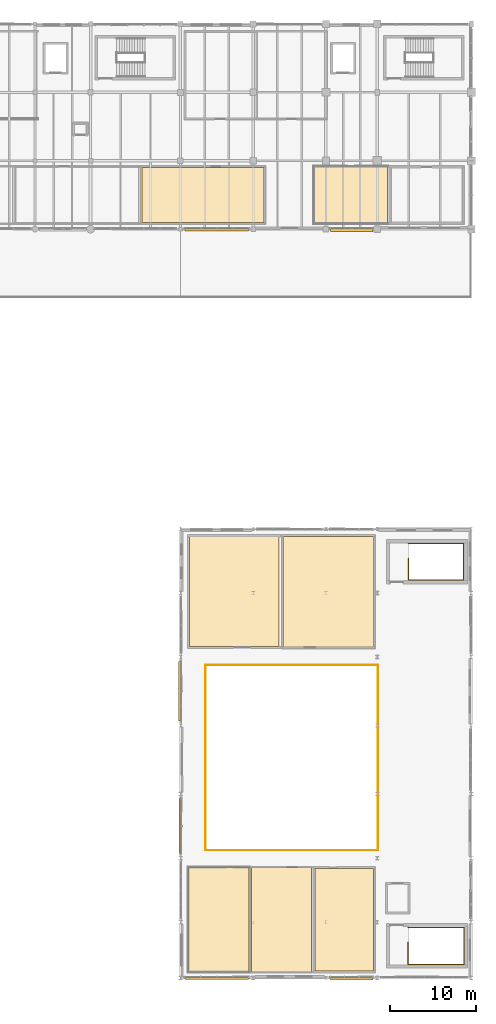
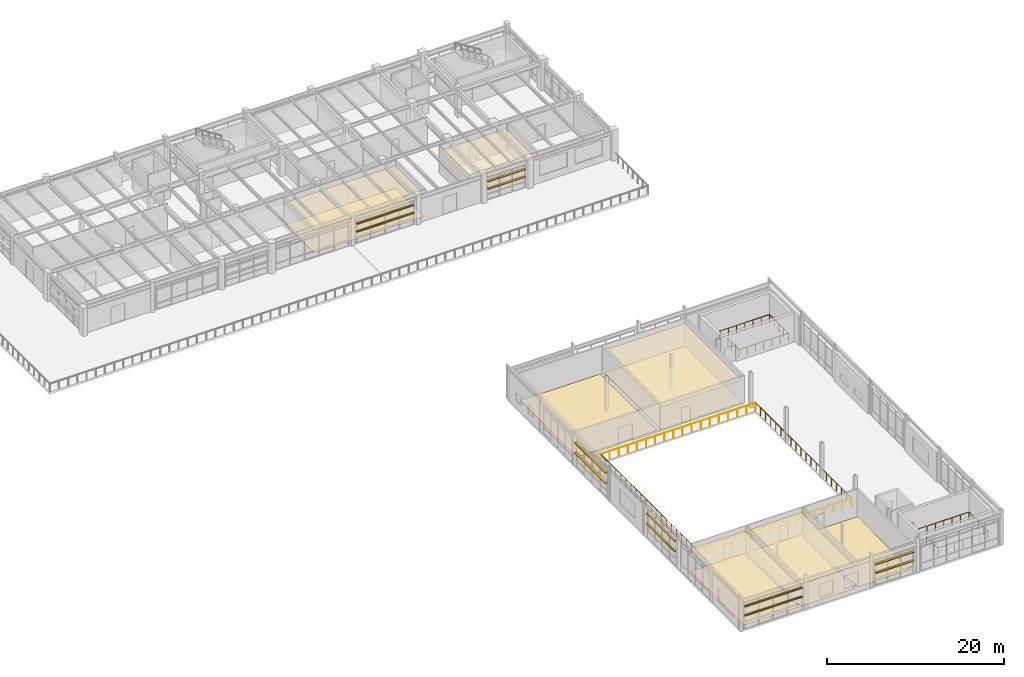
# One storey, part 55 of 56: 12 shading devices, 11 coverings, 6 railings.
"""IFC4 building model written with IfcOpenShell, lengths in metres."""

import ifcopenshell
import ifcopenshell.guid

model = None  # the IFC model being written
_history = None  # IfcOwnerHistory: only IFC2X3 demands one
_inside = {}  # id of a spatial element -> (the spatial element, [elements in it])
_under = {}  # id of a project, library or spatial element -> (it, [spatial elements below it])
_declared = {}  # id of a project -> (the project, [libraries it declares])
_typed = {}  # id of a type object -> (the type object, [elements of that type])
_made_of = {}  # id of a material, layer set ... -> (it, [elements and type objects made of it])


def new_model(schema):
    """Start an empty IFC model of exactly this schema.

    Asked for "IFC4X3", IfcOpenShell would pick the latest addendum, in which some entities
    have other attributes; the version numbers below select the first issue.
    IFC2X3 requires an IfcOwnerHistory on every rooted entity: one is made here for all.
    """
    global model, _history
    if schema == "IFC4X3":
        model = ifcopenshell.file(schema_version=(4, 3, 0, 0))
    else:
        model = ifcopenshell.file(schema=schema)
    _inside.clear()
    _under.clear()
    _declared.clear()
    _typed.clear()
    _made_of.clear()
    _history = None
    if model.schema == "IFC2X3":
        org = make("IfcOrganization", Name="unknown")
        user = make(
            "IfcPersonAndOrganization",
            ThePerson=make("IfcPerson", FamilyName="unknown"),
            TheOrganization=org,
        )
        app = make(
            "IfcApplication",
            ApplicationDeveloper=org,
            Version="unknown",
            ApplicationFullName="unknown",
            ApplicationIdentifier="unknown",
        )
        _history = make(
            "IfcOwnerHistory",
            OwningUser=user,
            OwningApplication=app,
            ChangeAction="ADDED",
            CreationDate=0,
        )
    return model


def make(cls, **values):
    """One entity of the class cls with the attributes given. An attribute that is None is left unset."""
    return model.create_entity(
        cls, **{name: value for name, value in values.items() if value is not None}
    )


def rooted(cls, **values):
    """An entity with a GlobalId (a new one), such as an element, a storey or a relation."""
    return make(cls, GlobalId=ifcopenshell.guid.new(), OwnerHistory=_history, **values)


def si_unit(unit_type, name, prefix=None):
    """IfcSIUnit, for example si_unit("LENGTHUNIT", "METRE", prefix="MILLI")."""
    return make("IfcSIUnit", UnitType=unit_type, Prefix=prefix, Name=name)


def assignment(units):
    """IfcUnitAssignment: the units of a project."""
    return None if units is None else make("IfcUnitAssignment", Units=units)


def point(xyz):
    """IfcCartesianPoint."""
    return None if xyz is None else make("IfcCartesianPoint", Coordinates=xyz)


def direction(xyz):
    """IfcDirection."""
    return None if xyz is None else make("IfcDirection", DirectionRatios=xyz)


def frame(location, z_axis=None, x_axis=None):
    """IfcAxis2Placement3D, a coordinate frame: its origin and axes. An axis left out is left unset."""
    return make(
        "IfcAxis2Placement3D",
        Location=point(location),
        Axis=direction(z_axis),
        RefDirection=direction(x_axis),
    )


def frame_2d(location, x_axis=None):
    """IfcAxis2Placement2D, a coordinate frame in the plane: its origin and x axis."""
    return make(
        "IfcAxis2Placement2D", Location=point(location), RefDirection=direction(x_axis)
    )


def origin():
    """The frame at (0, 0, 0) with its axes left unset."""
    return frame((0.0, 0.0, 0.0))


def origin_2d():
    """The frame at (0, 0) in the plane with its x axis left unset."""
    return frame_2d((0.0, 0.0))


def place(relative_to, where):
    """IfcLocalPlacement: puts the frame where relative to a parent placement (None: the world)."""
    return make(
        "IfcLocalPlacement", PlacementRelTo=relative_to, RelativePlacement=where
    )


def context(
    kind, dimensions, precision=None, world=None, true_north=None, identifier=None
):
    """IfcGeometricRepresentationContext, for example the 3D "Model" context."""
    return make(
        "IfcGeometricRepresentationContext",
        ContextIdentifier=identifier,
        ContextType=kind,
        CoordinateSpaceDimension=dimensions,
        Precision=precision,
        WorldCoordinateSystem=world,
        TrueNorth=true_north,
    )


def subcontext(parent, identifier, kind, view, scale=None):
    """IfcGeometricRepresentationSubContext, for example "Body" below "Model"."""
    return make(
        "IfcGeometricRepresentationSubContext",
        ContextIdentifier=identifier,
        ContextType=kind,
        ParentContext=parent,
        TargetScale=scale,
        TargetView=view,
    )


def project(units=None, contexts=None):
    """IfcProject with its units and contexts."""
    return rooted(
        "IfcProject",
        Name="project",
        RepresentationContexts=contexts,
        UnitsInContext=assignment(units),
    )


def spatial(cls, under=None, at=None, **own):
    """A site, building, storey or space (cls), placed at a placement, below another one or the project."""
    s = rooted(cls, ObjectPlacement=at, **own)
    if under is not None:
        _under.setdefault(under.id(), (under, []))[1].append(s)
    return s


def polyline(points):
    """IfcPolyline through the points."""
    return make("IfcPolyline", Points=[point(p) for p in points])


def profile(cls, at=None, kind="AREA", **sizes):
    """A parametric profile (cls). Its sizes go by their IFC names, for example OverallWidth=200.0."""
    return make(cls, ProfileType=kind, Position=at, **sizes)


def rectangle(**sizes):
    """IfcRectangleProfileDef."""
    return profile("IfcRectangleProfileDef", **sizes)


def circle(**sizes):
    """IfcCircleProfileDef."""
    return profile("IfcCircleProfileDef", **sizes)


def outline(outer, holes=None, kind="AREA"):
    """IfcArbitraryClosedProfileDef: a profile drawn as a closed curve; with holes, ...WithVoids."""
    if holes is None:
        return make("IfcArbitraryClosedProfileDef", ProfileType=kind, OuterCurve=outer)
    return make(
        "IfcArbitraryProfileDefWithVoids",
        ProfileType=kind,
        OuterCurve=outer,
        InnerCurves=holes,
    )


def extrude(swept, where, along, depth):
    """IfcExtrudedAreaSolid: the profile swept, set in the frame where, extruded along a direction by depth."""
    return make(
        "IfcExtrudedAreaSolid",
        SweptArea=swept,
        Position=where,
        ExtrudedDirection=direction(along),
        Depth=depth,
    )


def shape(context_of_items, identifier, shape_type, items):
    """IfcShapeRepresentation: the items that make up one representation, for example the "Body"."""
    return make(
        "IfcShapeRepresentation",
        ContextOfItems=context_of_items,
        RepresentationIdentifier=identifier,
        RepresentationType=shape_type,
        Items=items,
    )


def material(Name=None, Category=None):
    """IfcMaterial."""
    return make("IfcMaterial", Name=Name, Category=Category)


def layer(
    of_material, thickness, ventilated=None, Name=None, Category=None, Priority=None
):
    """IfcMaterialLayer: one layer of a wall or slab, of a material (None: an air gap)."""
    return make(
        "IfcMaterialLayer",
        Material=of_material,
        LayerThickness=thickness,
        IsVentilated=ventilated,
        Name=Name,
        Category=Category,
        Priority=Priority,
    )


def layer_set(layers, Name=None):
    """IfcMaterialLayerSet."""
    return make("IfcMaterialLayerSet", MaterialLayers=layers, LayerSetName=Name)


def made_of(thing, what):
    """Note that an element or type object is made of a material, layer set ...; save() writes the relation."""
    if what is not None:
        _made_of.setdefault(what.id(), (what, []))[1].append(thing)
    return thing


def type_object(cls, material=None, **own):
    """A type object (cls), such as IfcWallType, which elements share."""
    return made_of(rooted(cls, **own), material)


def element(
    cls,
    number,
    at=None,
    inside=None,
    cuts=None,
    type_object=None,
    material=None,
    context=None,
    identifier="Body",
    shape_type=None,
    held_by="IfcProductDefinitionShape",
    body=None,
    shapes=None,
    **own,
):
    """One element of the class cls, such as IfcWall. Its Tag is "e" and its number.

    at: its placement. inside: the storey or other place that contains it. cuts: it is an
    opening in that element (IfcRelVoidsElement). A single representation is given by context,
    identifier, shape_type and body (its items); several are given by shapes. held_by: the class
    of the entity that holds the representations. save() writes the other relations.
    """
    e = rooted(cls, Tag="e%d" % number, ObjectPlacement=at, **own)
    if body is not None:
        shapes = [shape(context, identifier, shape_type, body)]
    if shapes is not None:
        e.Representation = make(held_by, Representations=shapes)
    if inside is not None:
        _inside.setdefault(inside.id(), (inside, []))[1].append(e)
    if cuts is not None:
        rooted(
            "IfcRelVoidsElement", RelatingBuildingElement=cuts, RelatedOpeningElement=e
        )
    if type_object is not None:
        _typed.setdefault(type_object.id(), (type_object, []))[1].append(e)
    return made_of(e, material)


def aggregate(whole, parts):
    """IfcRelAggregates: a whole, such as a stair, and the parts it consists of."""
    return rooted("IfcRelAggregates", RelatingObject=whole, RelatedObjects=parts)


def save(model, path):
    """Write the relations noted so far, then the file.

    IfcRelAggregates (storeys below a building ...), IfcRelContainedInSpatialStructure (elements
    in a storey), IfcRelDefinesByType, IfcRelAssociatesMaterial and IfcRelDeclares: one each for
    every whole, place, type object, material and project.
    """
    for whole, parts in _under.values():
        aggregate(whole, parts)
    for where, things in _inside.values():
        rooted(
            "IfcRelContainedInSpatialStructure",
            RelatedElements=things,
            RelatingStructure=where,
        )
    for kind, things in _typed.values():
        rooted("IfcRelDefinesByType", RelatedObjects=things, RelatingType=kind)
    for what, things in _made_of.values():
        rooted("IfcRelAssociatesMaterial", RelatedObjects=things, RelatingMaterial=what)
    for by, libraries in _declared.values():
        rooted("IfcRelDeclares", RelatingContext=by, RelatedDefinitions=libraries)
    model.write(path)


model = new_model("IFC4")

# Units and contexts
model_context = context("Model", 3, precision=1e-05, world=origin(), true_north=direction((0.0, 1.0)))
body_context = subcontext(model_context, "Body", "Model", "MODEL_VIEW")
ifc_project = project(units=[si_unit("LENGTHUNIT", "METRE"), si_unit("AREAUNIT", "SQUARE_METRE"), si_unit("VOLUMEUNIT", "CUBIC_METRE"), si_unit("PLANEANGLEUNIT", "RADIAN"), si_unit("MASSUNIT", "GRAM", prefix="KILO"), si_unit("THERMODYNAMICTEMPERATUREUNIT", "KELVIN"), si_unit("POWERUNIT", "WATT")], contexts=[model_context])

# Site, building, storey
site_placement = place(None, origin())
site = spatial("IfcSite", under=ifc_project, at=site_placement, CompositionType="ELEMENT")
building_placement = place(site_placement, origin())
building = spatial("IfcBuilding", under=site, at=building_placement, Name="Tepalcoro Natatorium and Aquatics Centre", CompositionType="ELEMENT")
storey_placement = place(building_placement, frame((0.0, 0.0, 14.800048828125)))
storey = spatial("IfcBuildingStorey", under=building, at=storey_placement, Name="L03", CompositionType="ELEMENT", Elevation=14.800048828125)

# Railings
ifc_material_1 = material(Name="Marine-Grade Brushed Stainless Steel AISI 316L", Category="steel")
railing_type_1 = type_object("IfcRailingType", Name="BL_GLASS_1100", PredefinedType="BALUSTRADE", material=ifc_material_1)
railing_1_placement = place(storey_placement, frame((144.919921875, 21.419921875, 0.0)))
element("IfcRailing", 1, at=railing_1_placement, inside=storey, type_object=railing_type_1, Name="V2 L03 Diving Well Gallery Balustrade (S)", PredefinedType="BALUSTRADE", context=body_context, shape_type="SweptSolid", body=[
    extrude(circle(Radius=0.02392578125, at=origin_2d()), frame((0.0, 0.0, 1.09619140625), z_axis=(1.0, 0.0, 0.0), x_axis=(0.0, 1.0, 0.0)), (0.0, 0.0, 1.0), 20.16015625),
    extrude(circle(Radius=0.02099609375, at=origin_2d()), origin(), (0.0, 0.0, 1.0), 1.072021484375),
    extrude(circle(Radius=0.02099609375, at=origin_2d()), frame((1.185791015625, 0.0, 0.0)), (0.0, 0.0, 1.0), 1.072021484375),
    extrude(circle(Radius=0.02099609375, at=origin_2d()), frame((2.371826171875, 0.0, 0.0)), (0.0, 0.0, 1.0), 1.072021484375),
    extrude(circle(Radius=0.02099609375, at=origin_2d()), frame((3.5576171875, 0.0, 0.0)), (0.0, 0.0, 1.0), 1.072021484375),
    extrude(circle(Radius=0.02099609375, at=origin_2d()), frame((4.74365234375, 0.0, 0.0)), (0.0, 0.0, 1.0), 1.072021484375),
    extrude(circle(Radius=0.02099609375, at=origin_2d()), frame((5.929443359375, 0.0, 0.0)), (0.0, 0.0, 1.0), 1.072021484375),
    extrude(circle(Radius=0.02099609375, at=origin_2d()), frame((7.115234375, 0.0, 0.0)), (0.0, 0.0, 1.0), 1.072021484375),
    extrude(circle(Radius=0.02099609375, at=origin_2d()), frame((8.30126953125, 0.0, 0.0)), (0.0, 0.0, 1.0), 1.072021484375),
    extrude(circle(Radius=0.02099609375, at=origin_2d()), frame((9.487060546875, 0.0, 0.0)), (0.0, 0.0, 1.0), 1.072021484375),
    extrude(circle(Radius=0.02099609375, at=origin_2d()), frame((10.673095703125, 0.0, 0.0)), (0.0, 0.0, 1.0), 1.072021484375),
    extrude(circle(Radius=0.02099609375, at=origin_2d()), frame((11.85888671875, 0.0, 0.0)), (0.0, 0.0, 1.0), 1.072021484375),
    extrude(circle(Radius=0.02099609375, at=origin_2d()), frame((13.044921875, 0.0, 0.0)), (0.0, 0.0, 1.0), 1.072021484375),
    extrude(circle(Radius=0.02099609375, at=origin_2d()), frame((14.230712890625, 0.0, 0.0)), (0.0, 0.0, 1.0), 1.072021484375),
    extrude(circle(Radius=0.02099609375, at=origin_2d()), frame((15.41650390625, 0.0, 0.0)), (0.0, 0.0, 1.0), 1.072021484375),
    extrude(circle(Radius=0.02099609375, at=origin_2d()), frame((16.6025390625, 0.0, 0.0)), (0.0, 0.0, 1.0), 1.072021484375),
    extrude(circle(Radius=0.02099609375, at=origin_2d()), frame((17.788330078125, 0.0, 0.0)), (0.0, 0.0, 1.0), 1.072021484375),
    extrude(circle(Radius=0.02099609375, at=origin_2d()), frame((18.974365234375, 0.0, 0.0)), (0.0, 0.0, 1.0), 1.072021484375),
    extrude(circle(Radius=0.02099609375, at=origin_2d()), frame((20.16015625, 0.0, 0.0)), (0.0, 0.0, 1.0), 1.072021484375),
])
railing_2_placement = place(storey_placement, frame((165.080078125, 21.419921875, 0.0)))
element("IfcRailing", 2, at=railing_2_placement, inside=storey, type_object=railing_type_1, Name="V2 L03 Diving Well Gallery Balustrade (E)", PredefinedType="BALUSTRADE", context=body_context, shape_type="SweptSolid", body=[
    extrude(circle(Radius=0.02392578125, at=origin_2d()), frame((0.0, 0.0, 1.09619140625), z_axis=(0.0, 1.0, 0.0), x_axis=(-1.0, 0.0, 0.0)), (0.0, 0.0, 1.0), 21.66015625),
    extrude(circle(Radius=0.02099609375, at=origin_2d()), origin(), (0.0, 0.0, 1.0), 1.072021484375),
    extrude(circle(Radius=0.02099609375, at=origin_2d()), frame((0.0, 1.139892578125, 0.0)), (0.0, 0.0, 1.0), 1.072021484375),
    extrude(circle(Radius=0.02099609375, at=origin_2d()), frame((0.0, 2.280029296875, 0.0)), (0.0, 0.0, 1.0), 1.072021484375),
    extrude(circle(Radius=0.02099609375, at=origin_2d()), frame((0.0, 3.419921875, 0.0)), (0.0, 0.0, 1.0), 1.072021484375),
    extrude(circle(Radius=0.02099609375, at=origin_2d()), frame((0.0, 4.56005859375, 0.0)), (0.0, 0.0, 1.0), 1.072021484375),
    extrude(circle(Radius=0.02099609375, at=origin_2d()), frame((0.0, 5.699951171875, 0.0)), (0.0, 0.0, 1.0), 1.072021484375),
    extrude(circle(Radius=0.02099609375, at=origin_2d()), frame((0.0, 6.840087890625, 0.0)), (0.0, 0.0, 1.0), 1.072021484375),
    extrude(circle(Radius=0.02099609375, at=origin_2d()), frame((0.0, 7.97998046875, 0.0)), (0.0, 0.0, 1.0), 1.072021484375),
    extrude(circle(Radius=0.02099609375, at=origin_2d()), frame((0.0, 9.1201171875, 0.0)), (0.0, 0.0, 1.0), 1.072021484375),
    extrude(circle(Radius=0.02099609375, at=origin_2d()), frame((0.0, 10.260009765625, 0.0)), (0.0, 0.0, 1.0), 1.072021484375),
    extrude(circle(Radius=0.02099609375, at=origin_2d()), frame((0.0, 11.400146484375, 0.0)), (0.0, 0.0, 1.0), 1.072021484375),
    extrude(circle(Radius=0.02099609375, at=origin_2d()), frame((0.0, 12.5400390625, 0.0)), (0.0, 0.0, 1.0), 1.072021484375),
    extrude(circle(Radius=0.02099609375, at=origin_2d()), frame((0.0, 13.68017578125, 0.0)), (0.0, 0.0, 1.0), 1.072021484375),
    extrude(circle(Radius=0.02099609375, at=origin_2d()), frame((0.0, 14.820068359375, 0.0)), (0.0, 0.0, 1.0), 1.072021484375),
    extrude(circle(Radius=0.02099609375, at=origin_2d()), frame((0.0, 15.960205078125, 0.0)), (0.0, 0.0, 1.0), 1.072021484375),
    extrude(circle(Radius=0.02099609375, at=origin_2d()), frame((0.0, 17.10009765625, 0.0)), (0.0, 0.0, 1.0), 1.072021484375),
    extrude(circle(Radius=0.02099609375, at=origin_2d()), frame((0.0, 18.240234375, 0.0)), (0.0, 0.0, 1.0), 1.072021484375),
    extrude(circle(Radius=0.02099609375, at=origin_2d()), frame((0.0, 19.380126953125, 0.0)), (0.0, 0.0, 1.0), 1.072021484375),
    extrude(circle(Radius=0.02099609375, at=origin_2d()), frame((0.0, 20.520263671875, 0.0)), (0.0, 0.0, 1.0), 1.072021484375),
    extrude(circle(Radius=0.02099609375, at=origin_2d()), frame((0.0, 21.66015625, 0.0)), (0.0, 0.0, 1.0), 1.072021484375),
])
railing_3_placement = place(storey_placement, frame((165.080078125, 43.080078125, 0.0)))
element("IfcRailing", 3, at=railing_3_placement, inside=storey, type_object=railing_type_1, Name="V2 L03 Diving Well Gallery Balustrade (N)", PredefinedType="BALUSTRADE", context=body_context, shape_type="SweptSolid", body=[
    extrude(circle(Radius=0.02392578125, at=origin_2d()), frame((0.0, 0.0, 1.09619140625), z_axis=(-1.0, 0.0, 0.0), x_axis=(0.0, -1.0, 0.0)), (0.0, 0.0, 1.0), 20.16015625),
    extrude(circle(Radius=0.02099609375, at=origin_2d()), origin(), (0.0, 0.0, 1.0), 1.072021484375),
    extrude(circle(Radius=0.02099609375, at=origin_2d()), frame((-1.185791015625, 0.0, 0.0)), (0.0, 0.0, 1.0), 1.072021484375),
    extrude(circle(Radius=0.02099609375, at=origin_2d()), frame((-2.371826171875, 0.0, 0.0)), (0.0, 0.0, 1.0), 1.072021484375),
    extrude(circle(Radius=0.02099609375, at=origin_2d()), frame((-3.5576171875, 0.0, 0.0)), (0.0, 0.0, 1.0), 1.072021484375),
    extrude(circle(Radius=0.02099609375, at=origin_2d()), frame((-4.74365234375, 0.0, 0.0)), (0.0, 0.0, 1.0), 1.072021484375),
    extrude(circle(Radius=0.02099609375, at=origin_2d()), frame((-5.929443359375, 0.0, 0.0)), (0.0, 0.0, 1.0), 1.072021484375),
    extrude(circle(Radius=0.02099609375, at=origin_2d()), frame((-7.115234375, 0.0, 0.0)), (0.0, 0.0, 1.0), 1.072021484375),
    extrude(circle(Radius=0.02099609375, at=origin_2d()), frame((-8.30126953125, 0.0, 0.0)), (0.0, 0.0, 1.0), 1.072021484375),
    extrude(circle(Radius=0.02099609375, at=origin_2d()), frame((-9.487060546875, 0.0, 0.0)), (0.0, 0.0, 1.0), 1.072021484375),
    extrude(circle(Radius=0.02099609375, at=origin_2d()), frame((-10.673095703125, 0.0, 0.0)), (0.0, 0.0, 1.0), 1.072021484375),
    extrude(circle(Radius=0.02099609375, at=origin_2d()), frame((-11.85888671875, 0.0, 0.0)), (0.0, 0.0, 1.0), 1.072021484375),
    extrude(circle(Radius=0.02099609375, at=origin_2d()), frame((-13.044921875, 0.0, 0.0)), (0.0, 0.0, 1.0), 1.072021484375),
    extrude(circle(Radius=0.02099609375, at=origin_2d()), frame((-14.230712890625, 0.0, 0.0)), (0.0, 0.0, 1.0), 1.072021484375),
    extrude(circle(Radius=0.02099609375, at=origin_2d()), frame((-15.41650390625, 0.0, 0.0)), (0.0, 0.0, 1.0), 1.072021484375),
    extrude(circle(Radius=0.02099609375, at=origin_2d()), frame((-16.6025390625, 0.0, 0.0)), (0.0, 0.0, 1.0), 1.072021484375),
    extrude(circle(Radius=0.02099609375, at=origin_2d()), frame((-17.788330078125, 0.0, 0.0)), (0.0, 0.0, 1.0), 1.072021484375),
    extrude(circle(Radius=0.02099609375, at=origin_2d()), frame((-18.974365234375, 0.0, 0.0)), (0.0, 0.0, 1.0), 1.072021484375),
    extrude(circle(Radius=0.02099609375, at=origin_2d()), frame((-20.16015625, 0.0, 0.0)), (0.0, 0.0, 1.0), 1.072021484375),
])
railing_4_placement = place(storey_placement, frame((144.919921875, 43.080078125, 0.0)))
element("IfcRailing", 4, at=railing_4_placement, inside=storey, type_object=railing_type_1, Name="V2 L03 Diving Well Gallery Balustrade (W)", PredefinedType="BALUSTRADE", context=body_context, shape_type="SweptSolid", body=[
    extrude(circle(Radius=0.02392578125, at=origin_2d()), frame((0.0, 0.0, 1.09619140625), z_axis=(0.0, -1.0, 0.0), x_axis=(1.0, 0.0, 0.0)), (0.0, 0.0, 1.0), 21.66015625),
    extrude(circle(Radius=0.02099609375, at=origin_2d()), origin(), (0.0, 0.0, 1.0), 1.072021484375),
    extrude(circle(Radius=0.02099609375, at=origin_2d()), frame((0.0, -1.139892578125, 0.0)), (0.0, 0.0, 1.0), 1.072021484375),
    extrude(circle(Radius=0.02099609375, at=origin_2d()), frame((0.0, -2.280029296875, 0.0)), (0.0, 0.0, 1.0), 1.072021484375),
    extrude(circle(Radius=0.02099609375, at=origin_2d()), frame((0.0, -3.419921875, 0.0)), (0.0, 0.0, 1.0), 1.072021484375),
    extrude(circle(Radius=0.02099609375, at=origin_2d()), frame((0.0, -4.56005859375, 0.0)), (0.0, 0.0, 1.0), 1.072021484375),
    extrude(circle(Radius=0.02099609375, at=origin_2d()), frame((0.0, -5.699951171875, 0.0)), (0.0, 0.0, 1.0), 1.072021484375),
    extrude(circle(Radius=0.02099609375, at=origin_2d()), frame((0.0, -6.840087890625, 0.0)), (0.0, 0.0, 1.0), 1.072021484375),
    extrude(circle(Radius=0.02099609375, at=origin_2d()), frame((0.0, -7.97998046875, 0.0)), (0.0, 0.0, 1.0), 1.072021484375),
    extrude(circle(Radius=0.02099609375, at=origin_2d()), frame((0.0, -9.1201171875, 0.0)), (0.0, 0.0, 1.0), 1.072021484375),
    extrude(circle(Radius=0.02099609375, at=origin_2d()), frame((0.0, -10.260009765625, 0.0)), (0.0, 0.0, 1.0), 1.072021484375),
    extrude(circle(Radius=0.02099609375, at=origin_2d()), frame((0.0, -11.400146484375, 0.0)), (0.0, 0.0, 1.0), 1.072021484375),
    extrude(circle(Radius=0.02099609375, at=origin_2d()), frame((0.0, -12.5400390625, 0.0)), (0.0, 0.0, 1.0), 1.072021484375),
    extrude(circle(Radius=0.02099609375, at=origin_2d()), frame((0.0, -13.68017578125, 0.0)), (0.0, 0.0, 1.0), 1.072021484375),
    extrude(circle(Radius=0.02099609375, at=origin_2d()), frame((0.0, -14.820068359375, 0.0)), (0.0, 0.0, 1.0), 1.072021484375),
    extrude(circle(Radius=0.02099609375, at=origin_2d()), frame((0.0, -15.960205078125, 0.0)), (0.0, 0.0, 1.0), 1.072021484375),
    extrude(circle(Radius=0.02099609375, at=origin_2d()), frame((0.0, -17.10009765625, 0.0)), (0.0, 0.0, 1.0), 1.072021484375),
    extrude(circle(Radius=0.02099609375, at=origin_2d()), frame((0.0, -18.240234375, 0.0)), (0.0, 0.0, 1.0), 1.072021484375),
    extrude(circle(Radius=0.02099609375, at=origin_2d()), frame((0.0, -19.380126953125, 0.0)), (0.0, 0.0, 1.0), 1.072021484375),
    extrude(circle(Radius=0.02099609375, at=origin_2d()), frame((0.0, -20.520263671875, 0.0)), (0.0, 0.0, 1.0), 1.072021484375),
    extrude(circle(Radius=0.02099609375, at=origin_2d()), frame((0.0, -21.66015625, 0.0)), (0.0, 0.0, 1.0), 1.072021484375),
])

# Coverings
ifc_material_2 = material(Name="Perforated Corrosion-Resistant Acoustic Aluminium Baffle Ceiling", Category="aluminium")
ifc_layer_1 = layer(ifc_material_2, 0.044921875)
ifc_layer_set_1 = layer_set([ifc_layer_1], Name="Perforated Corrosion-Resistant Acoustic Aluminium Baffle Ceiling")
covering_type_1 = type_object("IfcCoveringType", Name="CL_BAFFLE_120", PredefinedType="CEILING", material=ifc_layer_set_1)
covering_1_placement = place(storey_placement, frame((0.0, 0.0, 3.050048828125)))
element("IfcCovering", 5, at=covering_1_placement, inside=storey, type_object=covering_type_1, Name="Sports Nutrition Teaching Kitchen & Dining Studio Suspended Ceiling", PredefinedType="CEILING", context=body_context, shape_type="SweptSolid", body=[
    extrude(outline(polyline([(157.6298828125, 94.68994140625), (157.6298828125, 101.31005859375), (166.219970703125, 101.31005859375), (166.219970703125, 94.68994140625), (157.6298828125, 94.68994140625)])), origin(), (0.0, 0.0, 1.0), 0.044921875),
])
ifc_material_3 = material(Name="Moisture-Resistant Acoustic Gypsum Drywall on Cold-Formed Metal Studs")
ifc_layer_2 = layer(ifc_material_3, 0.030029296875)
ifc_layer_set_2 = layer_set([ifc_layer_2], Name="Moisture-Resistant Acoustic Gypsum Drywall on Cold-Formed Metal Studs")
covering_type_2 = type_object("IfcCoveringType", Name="CL_GYPSUM_30", PredefinedType="CEILING", material=ifc_layer_set_2)
covering_2_placement = place(storey_placement, frame((0.0, 0.0, 3.050048828125)))
element("IfcCovering", 6, at=covering_2_placement, inside=storey, type_object=covering_type_2, Name="High-Diving Aerial Spotting & Rigging Control Deck Suspended Ceiling", PredefinedType="CEILING", context=body_context, shape_type="SweptSolid", body=[
    extrude(outline(polyline([(142.929931640625, 7.18994140625), (142.929931640625, 19.409912109375), (150.0029296875, 19.409912109375), (150.0029296875, 7.18994140625), (142.929931640625, 7.18994140625)])), origin(), (0.0, 0.0, 1.0), 0.02978515625),
])
ifc_layer_3 = layer(ifc_material_2, 0.0400390625)
ifc_layer_set_3 = layer_set([ifc_layer_3], Name="Perforated Corrosion-Resistant Acoustic Aluminium Baffle Ceiling")
covering_type_3 = type_object("IfcCoveringType", Name="CL_PERF_AL_40", PredefinedType="CEILING", material=ifc_layer_set_3)
covering_3_placement = place(storey_placement, frame((0.0, 0.0, 3.050048828125)))
element("IfcCovering", 7, at=covering_3_placement, inside=storey, type_object=covering_type_3, Name="Diving Wing Roof-Truss Lighting & Acoustic Control Suspended Ceiling", PredefinedType="CEILING", context=body_context, shape_type="SweptSolid", body=[
    extrude(outline(polyline([(150.2880859375, 7.215087890625), (150.2880859375, 19.385009765625), (157.31201171875, 19.385009765625), (157.31201171875, 7.215087890625), (150.2880859375, 7.215087890625)])), origin(), (0.0, 0.0, 1.0), 0.039794921875),
])
covering_4_placement = place(storey_placement, frame((0.0, 0.0, 3.050048828125)))
element("IfcCovering", 8, at=covering_4_placement, inside=storey, type_object=covering_type_3, Name="Overhead Scoreboard & Rigging Winch Store Suspended Ceiling", PredefinedType="CEILING", context=body_context, shape_type="SweptSolid", body=[
    extrude(outline(polyline([(154.034912109375, 45.195068359375), (154.034912109375, 58.10498046875), (164.56494140625, 58.10498046875), (164.56494140625, 45.195068359375), (154.034912109375, 45.195068359375)])), origin(), (0.0, 0.0, 1.0), 0.039794921875),
])
covering_5_placement = place(storey_placement, frame((0.0, 0.0, 3.050048828125)))
element("IfcCovering", 9, at=covering_5_placement, inside=storey, type_object=covering_type_3, Name="Swim-Flume Fluid Dynamics & Drag Research Lab Suspended Ceiling", PredefinedType="CEILING", context=body_context, shape_type="SweptSolid", body=[
    extrude(outline(polyline([(137.47705078125, 94.77001953125), (137.47705078125, 101.22998046875), (151.7900390625, 101.22998046875), (151.7900390625, 94.77001953125), (137.47705078125, 94.77001953125)])), origin(), (0.0, 0.0, 1.0), 0.039794921875),
])
ifc_material_4 = material(Name="Slip-Resistant Porcelain Aquatic Deck Tile")
ifc_layer_4 = layer(ifc_material_4, 0.02197265625)
ifc_layer_set_4 = layer_set([ifc_layer_4], Name="Slip-Resistant Porcelain Aquatic Deck Tile")
covering_type_4 = type_object("IfcCoveringType", Name="FL_DECK_TILE_22", PredefinedType="FLOORING", material=ifc_layer_set_4)
covering_6_placement = place(storey_placement, origin())
element("IfcCovering", 10, at=covering_6_placement, inside=storey, type_object=covering_type_4, Name="Diving Wing Roof-Truss Lighting & Acoustic Control Floor Finish", PredefinedType="FLOORING", context=body_context, shape_type="SweptSolid", body=[
    extrude(outline(polyline([(150.2880859375, 7.215087890625), (150.2880859375, 19.385009765625), (157.31201171875, 19.385009765625), (157.31201171875, 7.215087890625), (150.2880859375, 7.215087890625)])), origin(), (0.0, 0.0, 1.0), 0.02197265625),
])
ifc_material_5 = material(Name="Chemical-Resistant Quartz-Broadcast Epoxy Flooring")
ifc_layer_5 = layer(ifc_material_5, 0.008056640625)
ifc_layer_set_5 = layer_set([ifc_layer_5], Name="Chemical-Resistant Quartz-Broadcast Epoxy Flooring")
covering_type_5 = type_object("IfcCoveringType", Name="FL_EPOXY_8", PredefinedType="FLOORING", material=ifc_layer_set_5)
covering_7_placement = place(storey_placement, origin())
element("IfcCovering", 11, at=covering_7_placement, inside=storey, type_object=covering_type_5, Name="Overhead Scoreboard & Rigging Winch Store Floor Finish", PredefinedType="FLOORING", context=body_context, shape_type="SweptSolid", body=[
    extrude(outline(polyline([(154.034912109375, 45.195068359375), (154.034912109375, 58.10498046875), (164.56494140625, 58.10498046875), (164.56494140625, 45.195068359375), (154.034912109375, 45.195068359375)])), origin(), (0.0, 0.0, 1.0), 0.008056640625),
])
ifc_material_6 = material(Name="Polished Jalisco Basalt Aggregate Terrazzo Flooring", Category="masonry")
ifc_layer_6 = layer(ifc_material_6, 0.028076171875)
ifc_layer_set_6 = layer_set([ifc_layer_6], Name="Polished Jalisco Basalt Aggregate Terrazzo Flooring")
covering_type_6 = type_object("IfcCoveringType", Name="FL_TERRAZZO_25", PredefinedType="FLOORING", material=ifc_layer_set_6)
covering_8_placement = place(storey_placement, origin())
element("IfcCovering", 12, at=covering_8_placement, inside=storey, type_object=covering_type_6, Name="Diving Hall Smoke-Extract & Heat-Recovery AHU Room Floor Finish", PredefinedType="FLOORING", context=body_context, shape_type="SweptSolid", body=[
    extrude(outline(polyline([(143.074951171875, 45.235107421875), (143.074951171875, 58.06494140625), (153.52490234375, 58.06494140625), (153.52490234375, 45.235107421875), (143.074951171875, 45.235107421875)])), origin(), (0.0, 0.0, 1.0), 0.02783203125),
])
ifc_layer_7 = layer(ifc_material_4, 0.01806640625)
ifc_layer_set_7 = layer_set([ifc_layer_7], Name="Slip-Resistant Porcelain Aquatic Deck Tile")
covering_type_7 = type_object("IfcCoveringType", Name="FL_TILE_18", PredefinedType="FLOORING", material=ifc_layer_set_7)
covering_9_placement = place(storey_placement, origin())
element("IfcCovering", 13, at=covering_9_placement, inside=storey, type_object=covering_type_7, Name="High-Diving Aerial Spotting & Rigging Control Deck Floor Finish", PredefinedType="FLOORING", context=body_context, shape_type="SweptSolid", body=[
    extrude(outline(polyline([(142.929931640625, 7.18994140625), (142.929931640625, 19.409912109375), (150.0029296875, 19.409912109375), (150.0029296875, 7.18994140625), (142.929931640625, 7.18994140625)])), origin(), (0.0, 0.0, 1.0), 0.01806640625),
])
covering_10_placement = place(storey_placement, origin())
element("IfcCovering", 14, at=covering_10_placement, inside=storey, type_object=covering_type_7, Name="Swim-Flume Fluid Dynamics & Drag Research Lab Floor Finish", PredefinedType="FLOORING", context=body_context, shape_type="SweptSolid", body=[
    extrude(outline(polyline([(137.47705078125, 94.77001953125), (137.47705078125, 101.22998046875), (151.7900390625, 101.22998046875), (151.7900390625, 94.77001953125), (137.47705078125, 94.77001953125)])), origin(), (0.0, 0.0, 1.0), 0.01806640625),
])
ifc_material_7 = material(Name="Sprung Maple Sports Floor Assembly")
ifc_layer_8 = layer(ifc_material_7, 0.02392578125)
ifc_layer_set_8 = layer_set([ifc_layer_8], Name="Sprung Maple Sports Floor Assembly")
covering_type_8 = type_object("IfcCoveringType", Name="FL_WOOD_22", PredefinedType="FLOORING", material=ifc_layer_set_8)
covering_11_placement = place(storey_placement, origin())
element("IfcCovering", 15, at=covering_11_placement, inside=storey, type_object=covering_type_8, Name="L03 Diving Technical Staff & Accessible WC Floor Finish", PredefinedType="FLOORING", context=body_context, shape_type="SweptSolid", body=[
    extrude(outline(polyline([(157.697021484375, 7.2900390625), (157.697021484375, 19.31005859375), (164.570068359375, 19.31005859375), (164.570068359375, 7.2900390625), (157.697021484375, 7.2900390625)])), origin(), (0.0, 0.0, 1.0), 0.02392578125),
])

# Railings
railing_type_2 = type_object("IfcRailingType", Name="RL_PERF_1100", PredefinedType="GUARDRAIL", material=ifc_material_1)
railing_5_placement = place(storey_placement, frame((168.610107421875, 10.679931640625, 0.0)))
element("IfcRailing", 16, at=railing_5_placement, inside=storey, type_object=railing_type_2, Name="ST03 Top Floor Stairwell Guardrail (L03)", PredefinedType="GUARDRAIL", context=body_context, shape_type="SweptSolid", body=[
    extrude(circle(Radius=0.02392578125, at=origin_2d()), frame((0.0, 0.0, 1.11572265625), z_axis=(0.0, -1.0, 0.0), x_axis=(1.0, 0.0, 0.0)), (0.0, 0.0, 1.0), 2.599853515625),
    extrude(circle(Radius=0.02392578125, at=origin_2d()), frame((0.0, -2.599853515625, 1.11572265625), z_axis=(1.0, 0.0, 0.0), x_axis=(0.0, 1.0, 0.0)), (0.0, 0.0, 1.0), 6.52978515625),
    extrude(circle(Radius=0.02392578125, at=origin_2d()), frame((6.52978515625, -2.599853515625, 1.11572265625), z_axis=(0.0, 1.0, 0.0), x_axis=(-1.0, 0.0, 0.0)), (0.0, 0.0, 1.0), 4.33984375),
    extrude(circle(Radius=0.02392578125, at=origin_2d()), frame((6.52978515625, 1.739990234375, 1.11572265625), z_axis=(-1.0, 0.0, 0.0), x_axis=(0.0, -1.0, 0.0)), (0.0, 0.0, 1.0), 6.52978515625),
    extrude(circle(Radius=0.02099609375, at=origin_2d()), origin(), (0.0, 0.0, 1.0), 1.091796875),
    extrude(circle(Radius=0.02099609375, at=origin_2d()), frame((0.0, -0.86669921875, 0.0)), (0.0, 0.0, 1.0), 1.091796875),
    extrude(circle(Radius=0.02099609375, at=origin_2d()), frame((0.0, -1.733154296875, 0.0)), (0.0, 0.0, 1.0), 1.091796875),
    extrude(circle(Radius=0.02099609375, at=origin_2d()), frame((0.0, -2.599853515625, 0.0)), (0.0, 0.0, 1.0), 1.091796875),
    extrude(circle(Radius=0.02099609375, at=origin_2d()), frame((1.08837890625, -2.599853515625, 0.0)), (0.0, 0.0, 1.0), 1.091796875),
    extrude(circle(Radius=0.02099609375, at=origin_2d()), frame((2.176513671875, -2.599853515625, 0.0)), (0.0, 0.0, 1.0), 1.091796875),
    extrude(circle(Radius=0.02099609375, at=origin_2d()), frame((3.264892578125, -2.599853515625, 0.0)), (0.0, 0.0, 1.0), 1.091796875),
    extrude(circle(Radius=0.02099609375, at=origin_2d()), frame((4.353271484375, -2.599853515625, 0.0)), (0.0, 0.0, 1.0), 1.091796875),
    extrude(circle(Radius=0.02099609375, at=origin_2d()), frame((5.44140625, -2.599853515625, 0.0)), (0.0, 0.0, 1.0), 1.091796875),
    extrude(circle(Radius=0.02099609375, at=origin_2d()), frame((6.52978515625, -2.599853515625, 0.0)), (0.0, 0.0, 1.0), 1.091796875),
    extrude(circle(Radius=0.02099609375, at=origin_2d()), frame((6.52978515625, -1.514892578125, 0.0)), (0.0, 0.0, 1.0), 1.091796875),
    extrude(circle(Radius=0.02099609375, at=origin_2d()), frame((6.52978515625, -0.429931640625, 0.0)), (0.0, 0.0, 1.0), 1.091796875),
    extrude(circle(Radius=0.02099609375, at=origin_2d()), frame((6.52978515625, 0.655029296875, 0.0)), (0.0, 0.0, 1.0), 1.091796875),
    extrude(circle(Radius=0.02099609375, at=origin_2d()), frame((6.52978515625, 1.739990234375, 0.0)), (0.0, 0.0, 1.0), 1.091796875),
    extrude(circle(Radius=0.02099609375, at=origin_2d()), frame((5.44140625, 1.739990234375, 0.0)), (0.0, 0.0, 1.0), 1.091796875),
    extrude(circle(Radius=0.02099609375, at=origin_2d()), frame((4.353271484375, 1.739990234375, 0.0)), (0.0, 0.0, 1.0), 1.091796875),
    extrude(circle(Radius=0.02099609375, at=origin_2d()), frame((3.264892578125, 1.739990234375, 0.0)), (0.0, 0.0, 1.0), 1.091796875),
    extrude(circle(Radius=0.02099609375, at=origin_2d()), frame((2.176513671875, 1.739990234375, 0.0)), (0.0, 0.0, 1.0), 1.091796875),
    extrude(circle(Radius=0.02099609375, at=origin_2d()), frame((1.08837890625, 1.739990234375, 0.0)), (0.0, 0.0, 1.0), 1.091796875),
    extrude(circle(Radius=0.02099609375, at=origin_2d()), frame((0.0, 1.739990234375, 0.0)), (0.0, 0.0, 1.0), 1.091796875),
])
ifc_material_8 = material(Name="Hollow Steel ASTM A500 Grade C (Fy 345 MPa)", Category="steel")
railing_type_3 = type_object("IfcRailingType", Name="RL_STEEL_1100", PredefinedType="GUARDRAIL", material=ifc_material_8)
railing_6_placement = place(storey_placement, frame((168.659912109375, 55.530029296875, 0.0)))
element("IfcRailing", 17, at=railing_6_placement, inside=storey, type_object=railing_type_3, Name="ST04 Top Floor Stairwell Guardrail (L03)", PredefinedType="GUARDRAIL", context=body_context, shape_type="SweptSolid", body=[
    extrude(circle(Radius=0.02392578125, at=origin_2d()), frame((0.0, 0.0, 1.1259765625), z_axis=(0.0, -1.0, 0.0), x_axis=(1.0, 0.0, 0.0)), (0.0, 0.0, 1.0), 2.5),
    extrude(circle(Radius=0.02392578125, at=origin_2d()), frame((0.0, -2.5, 1.1259765625), z_axis=(1.0, 0.0, 0.0), x_axis=(0.0, 1.0, 0.0)), (0.0, 0.0, 1.0), 6.43017578125),
    extrude(circle(Radius=0.02392578125, at=origin_2d()), frame((6.43017578125, -2.5, 1.1259765625), z_axis=(0.0, 1.0, 0.0), x_axis=(-1.0, 0.0, 0.0)), (0.0, 0.0, 1.0), 4.239990234375),
    extrude(circle(Radius=0.02392578125, at=origin_2d()), frame((6.43017578125, 1.739990234375, 1.1259765625), z_axis=(-1.0, 0.0, 0.0), x_axis=(0.0, -1.0, 0.0)), (0.0, 0.0, 1.0), 6.43017578125),
    extrude(circle(Radius=0.02099609375, at=origin_2d()), origin(), (0.0, 0.0, 1.0), 1.101806640625),
    extrude(circle(Radius=0.02099609375, at=origin_2d()), frame((0.0, -0.833251953125, 0.0)), (0.0, 0.0, 1.0), 1.101806640625),
    extrude(circle(Radius=0.02099609375, at=origin_2d()), frame((0.0, -1.666748046875, 0.0)), (0.0, 0.0, 1.0), 1.101806640625),
    extrude(circle(Radius=0.02099609375, at=origin_2d()), frame((0.0, -2.5, 0.0)), (0.0, 0.0, 1.0), 1.101806640625),
    extrude(circle(Radius=0.02099609375, at=origin_2d()), frame((1.07177734375, -2.5, 0.0)), (0.0, 0.0, 1.0), 1.101806640625),
    extrude(circle(Radius=0.02099609375, at=origin_2d()), frame((2.143310546875, -2.5, 0.0)), (0.0, 0.0, 1.0), 1.101806640625),
    extrude(circle(Radius=0.02099609375, at=origin_2d()), frame((3.215087890625, -2.5, 0.0)), (0.0, 0.0, 1.0), 1.101806640625),
    extrude(circle(Radius=0.02099609375, at=origin_2d()), frame((4.286865234375, -2.5, 0.0)), (0.0, 0.0, 1.0), 1.101806640625),
    extrude(circle(Radius=0.02099609375, at=origin_2d()), frame((5.3583984375, -2.5, 0.0)), (0.0, 0.0, 1.0), 1.101806640625),
    extrude(circle(Radius=0.02099609375, at=origin_2d()), frame((6.43017578125, -2.5, 0.0)), (0.0, 0.0, 1.0), 1.101806640625),
    extrude(circle(Radius=0.02099609375, at=origin_2d()), frame((6.43017578125, -1.43994140625, 0.0)), (0.0, 0.0, 1.0), 1.101806640625),
    extrude(circle(Radius=0.02099609375, at=origin_2d()), frame((6.43017578125, -0.3798828125, 0.0)), (0.0, 0.0, 1.0), 1.101806640625),
    extrude(circle(Radius=0.02099609375, at=origin_2d()), frame((6.43017578125, 0.679931640625, 0.0)), (0.0, 0.0, 1.0), 1.101806640625),
    extrude(circle(Radius=0.02099609375, at=origin_2d()), frame((6.43017578125, 1.739990234375, 0.0)), (0.0, 0.0, 1.0), 1.101806640625),
    extrude(circle(Radius=0.02099609375, at=origin_2d()), frame((5.3583984375, 1.739990234375, 0.0)), (0.0, 0.0, 1.0), 1.101806640625),
    extrude(circle(Radius=0.02099609375, at=origin_2d()), frame((4.286865234375, 1.739990234375, 0.0)), (0.0, 0.0, 1.0), 1.101806640625),
    extrude(circle(Radius=0.02099609375, at=origin_2d()), frame((3.215087890625, 1.739990234375, 0.0)), (0.0, 0.0, 1.0), 1.101806640625),
    extrude(circle(Radius=0.02099609375, at=origin_2d()), frame((2.143310546875, 1.739990234375, 0.0)), (0.0, 0.0, 1.0), 1.101806640625),
    extrude(circle(Radius=0.02099609375, at=origin_2d()), frame((1.07177734375, 1.739990234375, 0.0)), (0.0, 0.0, 1.0), 1.101806640625),
    extrude(circle(Radius=0.02099609375, at=origin_2d()), frame((0.0, 1.739990234375, 0.0)), (0.0, 0.0, 1.0), 1.101806640625),
])

# Shading devices
ifc_material_9 = material(Name="Bronze-Anodised Extruded Aluminium Alloy EN AW-6063 T6", Category="aluminium")
shading_device_type_1 = type_object("IfcShadingDeviceType", Name="SHD_FIN_BRONZE", PredefinedType="SHUTTER", material=ifc_material_9)
for number, where, z_axis, x_axis, name in (
    (18, (162.0, 6.4111328125, 1.83203125), (0.0, 0.0, 1.0), (1.0, 0.0, 0.0), "Solar Shading Brise-Soleil SHD_FIN_BRONZE"),
    (19, (162.0, 6.4111328125, 3.017822265625), (0.0, 0.0, 1.0), (1.0, 0.0, 0.0), "Solar Shading Brise-Soleil SHD_FIN_BRONZE"),
):
    element("IfcShadingDevice", number, at=place(storey_placement, frame(where, z_axis=z_axis, x_axis=x_axis)), inside=storey, type_object=shading_device_type_1, Name=name, PredefinedType="SHUTTER", context=body_context, shape_type="SweptSolid", body=[
        extrude(rectangle(XDim=4.9599609375, YDim=0.300048828125, at=origin_2d()), origin(), (0.0, 0.0, 1.0), 0.080078125),
    ])
for number, where, z_axis, x_axis, name in (
    (20, (141.90625, 40.0, 2.057373046875), (0.0, 0.0, 1.0), (1.0, 0.0, 0.0), "Solar Shading Brise-Soleil SHD_FIN_BRONZE"),
    (21, (141.90625, 40.0, 3.4599609375), (0.0, 0.0, 1.0), (1.0, 0.0, 0.0), "Solar Shading Brise-Soleil SHD_FIN_BRONZE"),
):
    element("IfcShadingDevice", number, at=place(storey_placement, frame(where, z_axis=z_axis, x_axis=x_axis)), inside=storey, type_object=shading_device_type_1, Name=name, PredefinedType="SHUTTER", context=body_context, shape_type="SweptSolid", body=[
        extrude(rectangle(XDim=0.300048828125, YDim=6.9599609375, at=origin_2d()), origin(), (0.0, 0.0, 1.0), 0.080078125),
    ])
for number, where, z_axis, x_axis, name in (
    (22, (162.0, 93.90625, 1.59814453125), (0.0, 0.0, 1.0), (1.0, 0.0, 0.0), "Solar Shading Brise-Soleil SHD_FIN_BRONZE"),
    (23, (162.0, 93.90625, 2.62939453125), (0.0, 0.0, 1.0), (1.0, 0.0, 0.0), "Solar Shading Brise-Soleil SHD_FIN_BRONZE"),
):
    element("IfcShadingDevice", number, at=place(storey_placement, frame(where, z_axis=z_axis, x_axis=x_axis)), inside=storey, type_object=shading_device_type_1, Name=name, PredefinedType="SHUTTER", context=body_context, shape_type="SweptSolid", body=[
        extrude(rectangle(XDim=4.9599609375, YDim=0.300048828125, at=origin_2d()), origin(), (0.0, 0.0, 1.0), 0.080078125),
    ])
shading_device_type_2 = type_object("IfcShadingDeviceType", Name="SHD_LOUVRE_AL", PredefinedType="JALOUSIE", material=ifc_material_9)
for number, where, z_axis, x_axis, name in (
    (24, (146.25, 6.441162109375, 1.92138671875), (0.0, 0.0, 1.0), (1.0, 0.0, 0.0), "Solar Shading Brise-Soleil SHD_LOUVRE_AL"),
    (25, (146.25, 6.441162109375, 3.169921875), (0.0, 0.0, 1.0), (1.0, 0.0, 0.0), "Solar Shading Brise-Soleil SHD_LOUVRE_AL"),
):
    element("IfcShadingDevice", number, at=place(storey_placement, frame(where, z_axis=z_axis, x_axis=x_axis)), inside=storey, type_object=shading_device_type_2, Name=name, PredefinedType="JALOUSIE", context=body_context, shape_type="SweptSolid", body=[
        extrude(rectangle(XDim=7.4599609375, YDim=0.239990234375, at=origin_2d()), origin(), (0.0, 0.0, 1.0), 0.080078125),
    ])
for number, where, z_axis, x_axis, name in (
    (26, (141.936279296875, 24.25, 2.057373046875), (0.0, 0.0, 1.0), (1.0, 0.0, 0.0), "Solar Shading Brise-Soleil SHD_LOUVRE_AL"),
    (27, (141.936279296875, 24.25, 3.4599609375), (0.0, 0.0, 1.0), (1.0, 0.0, 0.0), "Solar Shading Brise-Soleil SHD_LOUVRE_AL"),
):
    element("IfcShadingDevice", number, at=place(storey_placement, frame(where, z_axis=z_axis, x_axis=x_axis)), inside=storey, type_object=shading_device_type_2, Name=name, PredefinedType="JALOUSIE", context=body_context, shape_type="SweptSolid", body=[
        extrude(rectangle(XDim=0.239990234375, YDim=6.4599609375, at=origin_2d()), origin(), (0.0, 0.0, 1.0), 0.080078125),
    ])
for number, where, z_axis, x_axis, name in (
    (28, (146.25, 93.936279296875, 1.676513671875), (0.0, 0.0, 1.0), (1.0, 0.0, 0.0), "Solar Shading Brise-Soleil SHD_LOUVRE_AL"),
    (29, (146.25, 93.936279296875, 2.757080078125), (0.0, 0.0, 1.0), (1.0, 0.0, 0.0), "Solar Shading Brise-Soleil SHD_LOUVRE_AL"),
):
    element("IfcShadingDevice", number, at=place(storey_placement, frame(where, z_axis=z_axis, x_axis=x_axis)), inside=storey, type_object=shading_device_type_2, Name=name, PredefinedType="JALOUSIE", context=body_context, shape_type="SweptSolid", body=[
        extrude(rectangle(XDim=7.4599609375, YDim=0.239990234375, at=origin_2d()), origin(), (0.0, 0.0, 1.0), 0.080078125),
    ])

save(model, "model.ifc")
